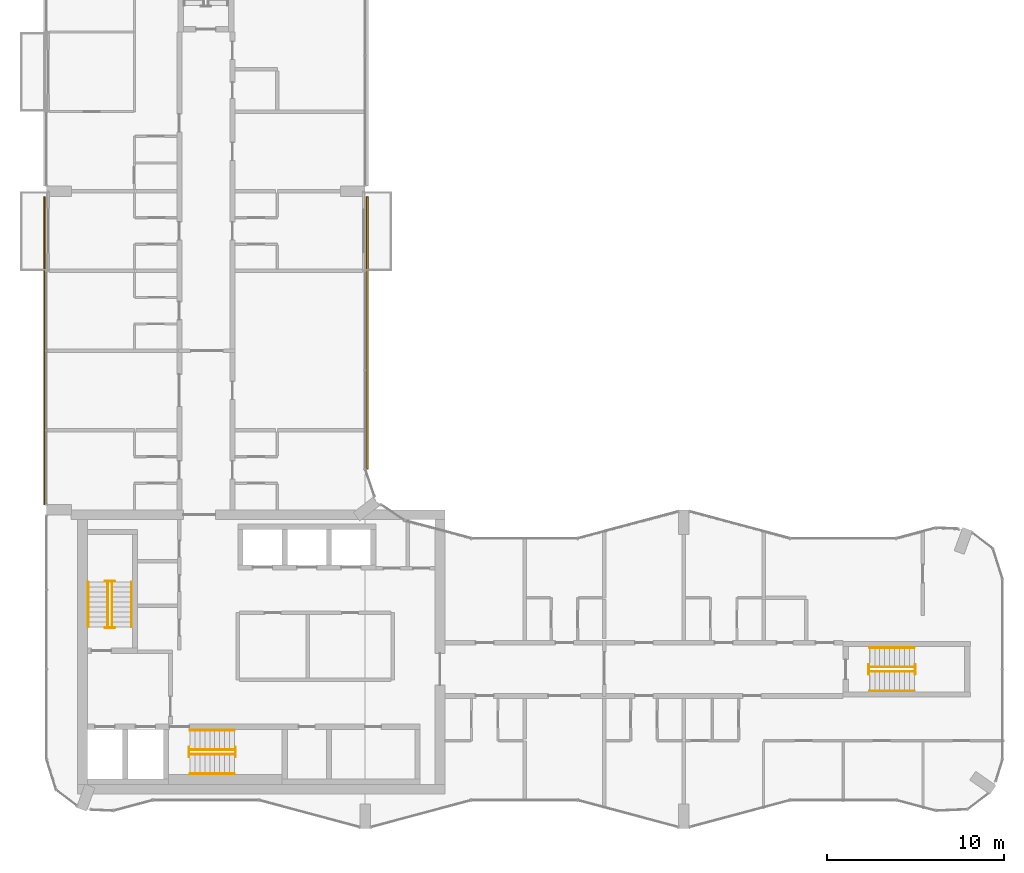
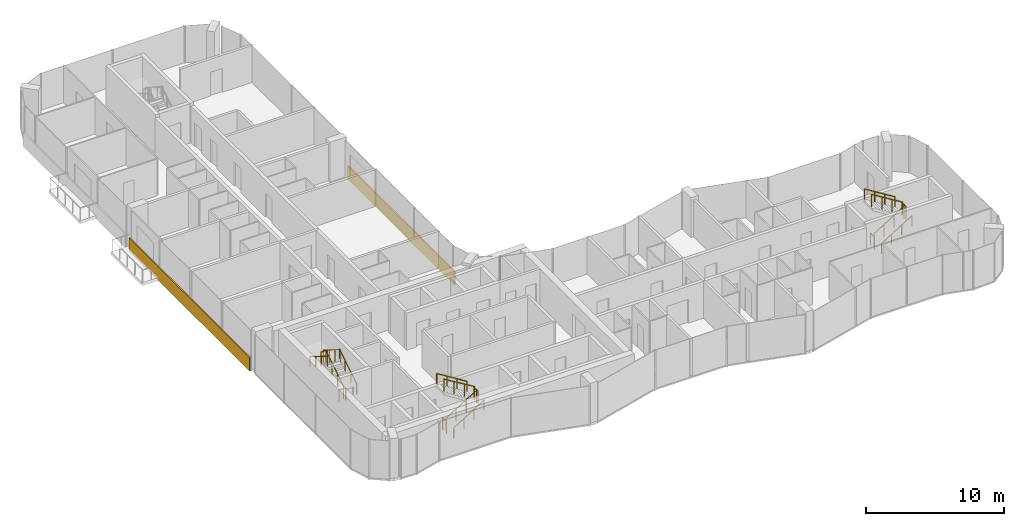
# One storey, part 14 of 15: 18 railings, 2 coverings.
"""IFC4 building model written with IfcOpenShell, lengths in metres."""

import ifcopenshell
import ifcopenshell.guid

model = None  # the IFC model being written
_history = None  # IfcOwnerHistory: only IFC2X3 demands one
_inside = {}  # id of a spatial element -> (the spatial element, [elements in it])
_under = {}  # id of a project, library or spatial element -> (it, [spatial elements below it])
_declared = {}  # id of a project -> (the project, [libraries it declares])
_typed = {}  # id of a type object -> (the type object, [elements of that type])
_made_of = {}  # id of a material, layer set ... -> (it, [elements and type objects made of it])


def new_model(schema):
    """Start an empty IFC model of exactly this schema.

    Asked for "IFC4X3", IfcOpenShell would pick the latest addendum, in which some entities
    have other attributes; the version numbers below select the first issue.
    IFC2X3 requires an IfcOwnerHistory on every rooted entity: one is made here for all.
    """
    global model, _history
    if schema == "IFC4X3":
        model = ifcopenshell.file(schema_version=(4, 3, 0, 0))
    else:
        model = ifcopenshell.file(schema=schema)
    _inside.clear()
    _under.clear()
    _declared.clear()
    _typed.clear()
    _made_of.clear()
    _history = None
    if model.schema == "IFC2X3":
        org = make("IfcOrganization", Name="unknown")
        user = make(
            "IfcPersonAndOrganization",
            ThePerson=make("IfcPerson", FamilyName="unknown"),
            TheOrganization=org,
        )
        app = make(
            "IfcApplication",
            ApplicationDeveloper=org,
            Version="unknown",
            ApplicationFullName="unknown",
            ApplicationIdentifier="unknown",
        )
        _history = make(
            "IfcOwnerHistory",
            OwningUser=user,
            OwningApplication=app,
            ChangeAction="ADDED",
            CreationDate=0,
        )
    return model


def make(cls, **values):
    """One entity of the class cls with the attributes given. An attribute that is None is left unset."""
    return model.create_entity(
        cls, **{name: value for name, value in values.items() if value is not None}
    )


def rooted(cls, **values):
    """An entity with a GlobalId (a new one), such as an element, a storey or a relation."""
    return make(cls, GlobalId=ifcopenshell.guid.new(), OwnerHistory=_history, **values)


def si_unit(unit_type, name, prefix=None):
    """IfcSIUnit, for example si_unit("LENGTHUNIT", "METRE", prefix="MILLI")."""
    return make("IfcSIUnit", UnitType=unit_type, Prefix=prefix, Name=name)


def assignment(units):
    """IfcUnitAssignment: the units of a project."""
    return None if units is None else make("IfcUnitAssignment", Units=units)


def point(xyz):
    """IfcCartesianPoint."""
    return None if xyz is None else make("IfcCartesianPoint", Coordinates=xyz)


def direction(xyz):
    """IfcDirection."""
    return None if xyz is None else make("IfcDirection", DirectionRatios=xyz)


def frame(location, z_axis=None, x_axis=None):
    """IfcAxis2Placement3D, a coordinate frame: its origin and axes. An axis left out is left unset."""
    return make(
        "IfcAxis2Placement3D",
        Location=point(location),
        Axis=direction(z_axis),
        RefDirection=direction(x_axis),
    )


def frame_2d(location, x_axis=None):
    """IfcAxis2Placement2D, a coordinate frame in the plane: its origin and x axis."""
    return make(
        "IfcAxis2Placement2D", Location=point(location), RefDirection=direction(x_axis)
    )


def origin():
    """The frame at (0, 0, 0) with its axes left unset."""
    return frame((0.0, 0.0, 0.0))


def origin_2d():
    """The frame at (0, 0) in the plane with its x axis left unset."""
    return frame_2d((0.0, 0.0))


def place(relative_to, where):
    """IfcLocalPlacement: puts the frame where relative to a parent placement (None: the world)."""
    return make(
        "IfcLocalPlacement", PlacementRelTo=relative_to, RelativePlacement=where
    )


def context(
    kind, dimensions, precision=None, world=None, true_north=None, identifier=None
):
    """IfcGeometricRepresentationContext, for example the 3D "Model" context."""
    return make(
        "IfcGeometricRepresentationContext",
        ContextIdentifier=identifier,
        ContextType=kind,
        CoordinateSpaceDimension=dimensions,
        Precision=precision,
        WorldCoordinateSystem=world,
        TrueNorth=true_north,
    )


def subcontext(parent, identifier, kind, view, scale=None):
    """IfcGeometricRepresentationSubContext, for example "Body" below "Model"."""
    return make(
        "IfcGeometricRepresentationSubContext",
        ContextIdentifier=identifier,
        ContextType=kind,
        ParentContext=parent,
        TargetScale=scale,
        TargetView=view,
    )


def project(units=None, contexts=None):
    """IfcProject with its units and contexts."""
    return rooted(
        "IfcProject",
        Name="project",
        RepresentationContexts=contexts,
        UnitsInContext=assignment(units),
    )


def spatial(cls, under=None, at=None, **own):
    """A site, building, storey or space (cls), placed at a placement, below another one or the project."""
    s = rooted(cls, ObjectPlacement=at, **own)
    if under is not None:
        _under.setdefault(under.id(), (under, []))[1].append(s)
    return s


def profile(cls, at=None, kind="AREA", **sizes):
    """A parametric profile (cls). Its sizes go by their IFC names, for example OverallWidth=200.0."""
    return make(cls, ProfileType=kind, Position=at, **sizes)


def rectangle(**sizes):
    """IfcRectangleProfileDef."""
    return profile("IfcRectangleProfileDef", **sizes)


def circle(**sizes):
    """IfcCircleProfileDef."""
    return profile("IfcCircleProfileDef", **sizes)


def extrude(swept, where, along, depth):
    """IfcExtrudedAreaSolid: the profile swept, set in the frame where, extruded along a direction by depth."""
    return make(
        "IfcExtrudedAreaSolid",
        SweptArea=swept,
        Position=where,
        ExtrudedDirection=direction(along),
        Depth=depth,
    )


def shape(context_of_items, identifier, shape_type, items):
    """IfcShapeRepresentation: the items that make up one representation, for example the "Body"."""
    return make(
        "IfcShapeRepresentation",
        ContextOfItems=context_of_items,
        RepresentationIdentifier=identifier,
        RepresentationType=shape_type,
        Items=items,
    )


def material(Name=None, Category=None):
    """IfcMaterial."""
    return make("IfcMaterial", Name=Name, Category=Category)


def layer(
    of_material, thickness, ventilated=None, Name=None, Category=None, Priority=None
):
    """IfcMaterialLayer: one layer of a wall or slab, of a material (None: an air gap)."""
    return make(
        "IfcMaterialLayer",
        Material=of_material,
        LayerThickness=thickness,
        IsVentilated=ventilated,
        Name=Name,
        Category=Category,
        Priority=Priority,
    )


def layer_set(layers, Name=None):
    """IfcMaterialLayerSet."""
    return make("IfcMaterialLayerSet", MaterialLayers=layers, LayerSetName=Name)


def made_of(thing, what):
    """Note that an element or type object is made of a material, layer set ...; save() writes the relation."""
    if what is not None:
        _made_of.setdefault(what.id(), (what, []))[1].append(thing)
    return thing


def type_object(cls, material=None, **own):
    """A type object (cls), such as IfcWallType, which elements share."""
    return made_of(rooted(cls, **own), material)


def element(
    cls,
    number,
    at=None,
    inside=None,
    cuts=None,
    type_object=None,
    material=None,
    context=None,
    identifier="Body",
    shape_type=None,
    held_by="IfcProductDefinitionShape",
    body=None,
    shapes=None,
    **own,
):
    """One element of the class cls, such as IfcWall. Its Tag is "e" and its number.

    at: its placement. inside: the storey or other place that contains it. cuts: it is an
    opening in that element (IfcRelVoidsElement). A single representation is given by context,
    identifier, shape_type and body (its items); several are given by shapes. held_by: the class
    of the entity that holds the representations. save() writes the other relations.
    """
    e = rooted(cls, Tag="e%d" % number, ObjectPlacement=at, **own)
    if body is not None:
        shapes = [shape(context, identifier, shape_type, body)]
    if shapes is not None:
        e.Representation = make(held_by, Representations=shapes)
    if inside is not None:
        _inside.setdefault(inside.id(), (inside, []))[1].append(e)
    if cuts is not None:
        rooted(
            "IfcRelVoidsElement", RelatingBuildingElement=cuts, RelatedOpeningElement=e
        )
    if type_object is not None:
        _typed.setdefault(type_object.id(), (type_object, []))[1].append(e)
    return made_of(e, material)


def aggregate(whole, parts):
    """IfcRelAggregates: a whole, such as a stair, and the parts it consists of."""
    return rooted("IfcRelAggregates", RelatingObject=whole, RelatedObjects=parts)


def save(model, path):
    """Write the relations noted so far, then the file.

    IfcRelAggregates (storeys below a building ...), IfcRelContainedInSpatialStructure (elements
    in a storey), IfcRelDefinesByType, IfcRelAssociatesMaterial and IfcRelDeclares: one each for
    every whole, place, type object, material and project.
    """
    for whole, parts in _under.values():
        aggregate(whole, parts)
    for where, things in _inside.values():
        rooted(
            "IfcRelContainedInSpatialStructure",
            RelatedElements=things,
            RelatingStructure=where,
        )
    for kind, things in _typed.values():
        rooted("IfcRelDefinesByType", RelatedObjects=things, RelatingType=kind)
    for what, things in _made_of.values():
        rooted("IfcRelAssociatesMaterial", RelatedObjects=things, RelatingMaterial=what)
    for by, libraries in _declared.values():
        rooted("IfcRelDeclares", RelatingContext=by, RelatedDefinitions=libraries)
    model.write(path)


model = new_model("IFC4")

# Units and contexts
model_context = context("Model", 3, precision=1e-05, world=origin(), true_north=direction((0.0, 1.0)))
body_context = subcontext(model_context, "Body", "Model", "MODEL_VIEW")
ifc_project = project(units=[si_unit("LENGTHUNIT", "METRE"), si_unit("AREAUNIT", "SQUARE_METRE"), si_unit("VOLUMEUNIT", "CUBIC_METRE"), si_unit("PLANEANGLEUNIT", "RADIAN"), si_unit("MASSUNIT", "GRAM", prefix="KILO")], contexts=[model_context])

# Site, building, storey
site_placement = place(None, origin())
site = spatial("IfcSite", under=ifc_project, at=site_placement, CompositionType="ELEMENT")
building_placement = place(site_placement, origin())
building = spatial("IfcBuilding", under=site, at=building_placement, Name="Plateau Cross Towers", CompositionType="ELEMENT")
storey_placement = place(building_placement, frame((0.0, 0.0, 194.39990234375)))
storey = spatial("IfcBuildingStorey", under=building, at=storey_placement, Name="L50", CompositionType="ELEMENT", Elevation=194.39990234375)

# Railings
ifc_material_1 = material(Name="Stainless steel and toughened glass", Category="steel")
railing_type_1 = type_object("IfcRailingType", Name="RL-GUARD-1100", PredefinedType="GUARDRAIL", material=ifc_material_1)
railing_1_placement = place(storey_placement, frame((3.699951171875, 11.39990234375, 0.175048828125)))
element("IfcRailing", 1, at=railing_1_placement, inside=storey, type_object=railing_type_1, Name="L50 ST-1 stair guard 1", PredefinedType="GUARDRAIL", context=body_context, shape_type="SweptSolid", body=[
    extrude(circle(Radius=0.02392578125, at=origin_2d()), frame((0.0, 0.0, 1.076171875), z_axis=(0.0, 0.848007534815, 0.529984170421), x_axis=(-1.0, 0.0, 0.0)), (0.0, 0.0, 1.0), 2.9716796875),
    extrude(circle(Radius=0.02099609375, at=origin_2d()), origin(), (0.0, 0.0, 1.0), 1.052001953125),
    extrude(circle(Radius=0.02099609375, at=origin_2d()), frame((0.0, 0.840087890625, 0.52490234375)), (0.0, 0.0, 1.0), 1.052001953125),
    extrude(circle(Radius=0.02099609375, at=origin_2d()), frame((0.0, 1.679931640625, 1.050048828125)), (0.0, 0.0, 1.0), 1.052001953125),
    extrude(circle(Radius=0.02099609375, at=origin_2d()), frame((0.0, 2.52001953125, 1.574951171875)), (0.0, 0.0, 1.0), 1.052001953125),
])
railing_2_placement = place(storey_placement, frame((3.85009765625, 13.969970703125, 1.75)))
element("IfcRailing", 2, at=railing_2_placement, inside=storey, type_object=railing_type_1, Name="L50 ST-1 stair guard 2", PredefinedType="GUARDRAIL", context=body_context, shape_type="SweptSolid", body=[
    extrude(circle(Radius=0.02392578125, at=origin_2d()), frame((0.0, 0.0, 1.076171875), z_axis=(-1.0, 0.0, 0.0), x_axis=(0.0, -1.0, 0.0)), (0.0, 0.0, 1.0), 0.550048828125),
    extrude(circle(Radius=0.02099609375, at=origin_2d()), origin(), (0.0, 0.0, 1.0), 1.052001953125),
    extrude(circle(Radius=0.02099609375, at=origin_2d()), frame((-0.550048828125, 0.0, 0.0)), (0.0, 0.0, 1.0), 1.052001953125),
])
railing_3_placement = place(storey_placement, frame((3.449951171875, 13.919921875, 1.925048828125)))
element("IfcRailing", 3, at=railing_3_placement, inside=storey, type_object=railing_type_1, Name="L50 ST-1 stair guard 3", PredefinedType="GUARDRAIL", context=body_context, shape_type="SweptSolid", body=[
    extrude(circle(Radius=0.02392578125, at=origin_2d()), frame((0.0, 0.0, 1.076171875), z_axis=(0.0, -0.852616386126, 0.522537365276), x_axis=(1.0, 0.0, 0.0)), (0.0, 0.0, 1.0), 3.01416015625),
    extrude(circle(Radius=0.02099609375, at=origin_2d()), origin(), (0.0, 0.0, 1.0), 1.052001953125),
    extrude(circle(Radius=0.02099609375, at=origin_2d()), frame((0.0, -0.856689453125, 0.52490234375)), (0.0, 0.0, 1.0), 1.052001953125),
    extrude(circle(Radius=0.02099609375, at=origin_2d()), frame((0.0, -1.713134765625, 1.050048828125)), (0.0, 0.0, 1.0), 1.052001953125),
    extrude(circle(Radius=0.02099609375, at=origin_2d()), frame((0.0, -2.56982421875, 1.574951171875)), (0.0, 0.0, 1.0), 1.052001953125),
])
railing_4_placement = place(storey_placement, frame((3.85009765625, 11.35009765625, 0.0)))
element("IfcRailing", 4, at=railing_4_placement, inside=storey, type_object=railing_type_1, Name="L50 ST-1 stair guard 4", PredefinedType="GUARDRAIL", context=body_context, shape_type="SweptSolid", body=[
    extrude(circle(Radius=0.02392578125, at=origin_2d()), frame((0.0, 0.0, 1.076171875), z_axis=(-1.0, 0.0, 0.0), x_axis=(0.0, -1.0, 0.0)), (0.0, 0.0, 1.0), 0.550048828125),
    extrude(circle(Radius=0.02099609375, at=origin_2d()), origin(), (0.0, 0.0, 1.0), 1.052001953125),
    extrude(circle(Radius=0.02099609375, at=origin_2d()), frame((-0.550048828125, 0.0, 0.0)), (0.0, 0.0, 1.0), 1.052001953125),
])
railing_5_placement = place(storey_placement, frame((8.10009765625, 4.199951171875, 0.175048828125)))
element("IfcRailing", 5, at=railing_5_placement, inside=storey, type_object=railing_type_1, Name="L50 ST-2 stair guard 1", PredefinedType="GUARDRAIL", context=body_context, shape_type="SweptSolid", body=[
    extrude(circle(Radius=0.02392578125, at=origin_2d()), frame((0.0, 0.0, 1.076171875), z_axis=(0.848007534815, 0.0, 0.529984170421), x_axis=(0.0, 1.0, 0.0)), (0.0, 0.0, 1.0), 2.9716796875),
    extrude(circle(Radius=0.02099609375, at=origin_2d()), origin(), (0.0, 0.0, 1.0), 1.052001953125),
    extrude(circle(Radius=0.02099609375, at=origin_2d()), frame((0.840087890625, 0.0, 0.52490234375)), (0.0, 0.0, 1.0), 1.052001953125),
    extrude(circle(Radius=0.02099609375, at=origin_2d()), frame((1.679931640625, 0.0, 1.050048828125)), (0.0, 0.0, 1.0), 1.052001953125),
    extrude(circle(Radius=0.02099609375, at=origin_2d()), frame((2.52001953125, 0.0, 1.574951171875)), (0.0, 0.0, 1.0), 1.052001953125),
])
railing_6_placement = place(storey_placement, frame((10.669921875, 4.050048828125, 1.75)))
element("IfcRailing", 6, at=railing_6_placement, inside=storey, type_object=railing_type_1, Name="L50 ST-2 stair guard 2", PredefinedType="GUARDRAIL", context=body_context, shape_type="SweptSolid", body=[
    extrude(circle(Radius=0.02392578125, at=origin_2d()), frame((0.0, 0.0, 1.076171875), z_axis=(0.0, 1.0, 0.0), x_axis=(-1.0, 0.0, 0.0)), (0.0, 0.0, 1.0), 0.550048828125),
    extrude(circle(Radius=0.02099609375, at=origin_2d()), origin(), (0.0, 0.0, 1.0), 1.052001953125),
    extrude(circle(Radius=0.02099609375, at=origin_2d()), frame((0.0, 0.550048828125, 0.0)), (0.0, 0.0, 1.0), 1.052001953125),
])
railing_7_placement = place(storey_placement, frame((10.6201171875, 4.449951171875, 1.925048828125)))
element("IfcRailing", 7, at=railing_7_placement, inside=storey, type_object=railing_type_1, Name="L50 ST-2 stair guard 3", PredefinedType="GUARDRAIL", context=body_context, shape_type="SweptSolid", body=[
    extrude(circle(Radius=0.02392578125, at=origin_2d()), frame((0.0, 0.0, 1.076171875), z_axis=(-0.852638500773, 0.0, 0.522501279423), x_axis=(0.0, -1.0, 0.0)), (0.0, 0.0, 1.0), 3.01416015625),
    extrude(circle(Radius=0.02099609375, at=origin_2d()), origin(), (0.0, 0.0, 1.0), 1.052001953125),
    extrude(circle(Radius=0.02099609375, at=origin_2d()), frame((-0.856689453125, 0.0, 0.52490234375)), (0.0, 0.0, 1.0), 1.052001953125),
    extrude(circle(Radius=0.02099609375, at=origin_2d()), frame((-1.71337890625, 0.0, 1.050048828125)), (0.0, 0.0, 1.0), 1.052001953125),
    extrude(circle(Radius=0.02099609375, at=origin_2d()), frame((-2.570068359375, 0.0, 1.574951171875)), (0.0, 0.0, 1.0), 1.052001953125),
])
railing_8_placement = place(storey_placement, frame((8.050048828125, 4.050048828125, 0.0)))
element("IfcRailing", 8, at=railing_8_placement, inside=storey, type_object=railing_type_1, Name="L50 ST-2 stair guard 4", PredefinedType="GUARDRAIL", context=body_context, shape_type="SweptSolid", body=[
    extrude(circle(Radius=0.02392578125, at=origin_2d()), frame((0.0, 0.0, 1.076171875), z_axis=(0.0, 1.0, 0.0), x_axis=(-1.0, 0.0, 0.0)), (0.0, 0.0, 1.0), 0.550048828125),
    extrude(circle(Radius=0.02099609375, at=origin_2d()), origin(), (0.0, 0.0, 1.0), 1.052001953125),
    extrude(circle(Radius=0.02099609375, at=origin_2d()), frame((0.0, 0.550048828125, 0.0)), (0.0, 0.0, 1.0), 1.052001953125),
])
railing_9_placement = place(storey_placement, frame((46.5, 8.875, 0.175048828125)))
element("IfcRailing", 9, at=railing_9_placement, inside=storey, type_object=railing_type_1, Name="L50 ES-E stair guard 1", PredefinedType="GUARDRAIL", context=body_context, shape_type="SweptSolid", body=[
    extrude(circle(Radius=0.02392578125, at=origin_2d()), frame((0.0, 0.0, 1.076171875), z_axis=(0.848007534815, 0.0, 0.529984170421), x_axis=(0.0, 1.0, 0.0)), (0.0, 0.0, 1.0), 2.9716796875),
    extrude(circle(Radius=0.02099609375, at=origin_2d()), origin(), (0.0, 0.0, 1.0), 1.052001953125),
    extrude(circle(Radius=0.02099609375, at=origin_2d()), frame((0.840087890625, 0.0, 0.52490234375)), (0.0, 0.0, 1.0), 1.052001953125),
    extrude(circle(Radius=0.02099609375, at=origin_2d()), frame((1.679931640625, 0.0, 1.050048828125)), (0.0, 0.0, 1.0), 1.052001953125),
    extrude(circle(Radius=0.02099609375, at=origin_2d()), frame((2.52001953125, 0.0, 1.574951171875)), (0.0, 0.0, 1.0), 1.052001953125),
])
railing_10_placement = place(storey_placement, frame((49.070068359375, 8.72509765625, 1.75)))
element("IfcRailing", 10, at=railing_10_placement, inside=storey, type_object=railing_type_1, Name="L50 ES-E stair guard 2", PredefinedType="GUARDRAIL", context=body_context, shape_type="SweptSolid", body=[
    extrude(circle(Radius=0.02392578125, at=origin_2d()), frame((0.0, 0.0, 1.076171875), z_axis=(0.0, 1.0, 0.0), x_axis=(-1.0, 0.0, 0.0)), (0.0, 0.0, 1.0), 0.5498046875),
    extrude(circle(Radius=0.02099609375, at=origin_2d()), origin(), (0.0, 0.0, 1.0), 1.052001953125),
    extrude(circle(Radius=0.02099609375, at=origin_2d()), frame((0.0, 0.5498046875, 0.0)), (0.0, 0.0, 1.0), 1.052001953125),
])
railing_11_placement = place(storey_placement, frame((49.02001953125, 9.125, 1.925048828125)))
element("IfcRailing", 11, at=railing_11_placement, inside=storey, type_object=railing_type_1, Name="L50 ES-E stair guard 3", PredefinedType="GUARDRAIL", context=body_context, shape_type="SweptSolid", body=[
    extrude(circle(Radius=0.02392578125, at=origin_2d()), frame((0.0, 0.0, 1.076171875), z_axis=(-0.852638500773, 0.0, 0.522501279423), x_axis=(0.0, -1.0, 0.0)), (0.0, 0.0, 1.0), 3.01416015625),
    extrude(circle(Radius=0.02099609375, at=origin_2d()), origin(), (0.0, 0.0, 1.0), 1.052001953125),
    extrude(circle(Radius=0.02099609375, at=origin_2d()), frame((-0.856689453125, 0.0, 0.52490234375)), (0.0, 0.0, 1.0), 1.052001953125),
    extrude(circle(Radius=0.02099609375, at=origin_2d()), frame((-1.71337890625, 0.0, 1.050048828125)), (0.0, 0.0, 1.0), 1.052001953125),
    extrude(circle(Radius=0.02099609375, at=origin_2d()), frame((-2.570068359375, 0.0, 1.574951171875)), (0.0, 0.0, 1.0), 1.052001953125),
])
railing_12_placement = place(storey_placement, frame((46.449951171875, 8.72509765625, 0.0)))
element("IfcRailing", 12, at=railing_12_placement, inside=storey, type_object=railing_type_1, Name="L50 ES-E stair guard 4", PredefinedType="GUARDRAIL", context=body_context, shape_type="SweptSolid", body=[
    extrude(circle(Radius=0.02392578125, at=origin_2d()), frame((0.0, 0.0, 1.076171875), z_axis=(0.0, 1.0, 0.0), x_axis=(-1.0, 0.0, 0.0)), (0.0, 0.0, 1.0), 0.5498046875),
    extrude(circle(Radius=0.02099609375, at=origin_2d()), origin(), (0.0, 0.0, 1.0), 1.052001953125),
    extrude(circle(Radius=0.02099609375, at=origin_2d()), frame((0.0, 0.5498046875, 0.0)), (0.0, 0.0, 1.0), 1.052001953125),
])
ifc_material_2 = material(Name="Black anodised aluminium", Category="aluminium")
railing_type_2 = type_object("IfcRailingType", Name="RL-HANDRAIL-900", PredefinedType="HANDRAIL", material=ifc_material_2)
railing_13_placement = place(storey_placement, frame((4.800048828125, 11.39990234375, 0.175048828125)))
element("IfcRailing", 13, at=railing_13_placement, inside=storey, type_object=railing_type_2, Name="L50 ST-1 stair handrail 1", PredefinedType="HANDRAIL", context=body_context, shape_type="SweptSolid", body=[
    extrude(circle(Radius=0.02392578125, at=origin_2d()), frame((0.0, 0.0, 0.8759765625), z_axis=(0.0, 0.848007534815, 0.529984170421), x_axis=(-1.0, 0.0, 0.0)), (0.0, 0.0, 1.0), 2.9716796875),
    extrude(circle(Radius=0.02099609375, at=origin_2d()), origin(), (0.0, 0.0, 1.0), 0.851806640625),
    extrude(circle(Radius=0.02099609375, at=origin_2d()), frame((0.0, 0.840087890625, 0.52490234375)), (0.0, 0.0, 1.0), 0.851806640625),
    extrude(circle(Radius=0.02099609375, at=origin_2d()), frame((0.0, 1.679931640625, 1.050048828125)), (0.0, 0.0, 1.0), 0.851806640625),
    extrude(circle(Radius=0.02099609375, at=origin_2d()), frame((0.0, 2.52001953125, 1.574951171875)), (0.0, 0.0, 1.0), 0.851806640625),
])
railing_14_placement = place(storey_placement, frame((2.35009765625, 13.919921875, 1.925048828125)))
element("IfcRailing", 14, at=railing_14_placement, inside=storey, type_object=railing_type_2, Name="L50 ST-1 stair handrail 2", PredefinedType="HANDRAIL", context=body_context, shape_type="SweptSolid", body=[
    extrude(circle(Radius=0.02392578125, at=origin_2d()), frame((0.0, 0.0, 0.8759765625), z_axis=(0.0, -0.848007534815, 0.529984170421), x_axis=(1.0, 0.0, 0.0)), (0.0, 0.0, 1.0), 2.9716796875),
    extrude(circle(Radius=0.02099609375, at=origin_2d()), origin(), (0.0, 0.0, 1.0), 0.851806640625),
    extrude(circle(Radius=0.02099609375, at=origin_2d()), frame((0.0, -0.840087890625, 0.52490234375)), (0.0, 0.0, 1.0), 0.851806640625),
    extrude(circle(Radius=0.02099609375, at=origin_2d()), frame((0.0, -1.679931640625, 1.050048828125)), (0.0, 0.0, 1.0), 0.851806640625),
    extrude(circle(Radius=0.02099609375, at=origin_2d()), frame((0.0, -2.52001953125, 1.574951171875)), (0.0, 0.0, 1.0), 0.851806640625),
])
railing_15_placement = place(storey_placement, frame((8.10009765625, 3.10009765625, 0.175048828125)))
element("IfcRailing", 15, at=railing_15_placement, inside=storey, type_object=railing_type_2, Name="L50 ST-2 stair handrail 1", PredefinedType="HANDRAIL", context=body_context, shape_type="SweptSolid", body=[
    extrude(circle(Radius=0.02392578125, at=origin_2d()), frame((0.0, 0.0, 0.8759765625), z_axis=(0.848007534815, 0.0, 0.529984170421), x_axis=(0.0, 1.0, 0.0)), (0.0, 0.0, 1.0), 2.9716796875),
    extrude(circle(Radius=0.02099609375, at=origin_2d()), origin(), (0.0, 0.0, 1.0), 0.851806640625),
    extrude(circle(Radius=0.02099609375, at=origin_2d()), frame((0.840087890625, 0.0, 0.52490234375)), (0.0, 0.0, 1.0), 0.851806640625),
    extrude(circle(Radius=0.02099609375, at=origin_2d()), frame((1.679931640625, 0.0, 1.050048828125)), (0.0, 0.0, 1.0), 0.851806640625),
    extrude(circle(Radius=0.02099609375, at=origin_2d()), frame((2.52001953125, 0.0, 1.574951171875)), (0.0, 0.0, 1.0), 0.851806640625),
])
railing_16_placement = place(storey_placement, frame((10.6201171875, 5.550048828125, 1.925048828125)))
element("IfcRailing", 16, at=railing_16_placement, inside=storey, type_object=railing_type_2, Name="L50 ST-2 stair handrail 2", PredefinedType="HANDRAIL", context=body_context, shape_type="SweptSolid", body=[
    extrude(circle(Radius=0.02392578125, at=origin_2d()), frame((0.0, 0.0, 0.8759765625), z_axis=(-0.848007534815, 0.0, 0.529984170421), x_axis=(0.0, -1.0, 0.0)), (0.0, 0.0, 1.0), 2.9716796875),
    extrude(circle(Radius=0.02099609375, at=origin_2d()), origin(), (0.0, 0.0, 1.0), 0.851806640625),
    extrude(circle(Radius=0.02099609375, at=origin_2d()), frame((-0.840087890625, 0.0, 0.52490234375)), (0.0, 0.0, 1.0), 0.851806640625),
    extrude(circle(Radius=0.02099609375, at=origin_2d()), frame((-1.679931640625, 0.0, 1.050048828125)), (0.0, 0.0, 1.0), 0.851806640625),
    extrude(circle(Radius=0.02099609375, at=origin_2d()), frame((-2.52001953125, 0.0, 1.574951171875)), (0.0, 0.0, 1.0), 0.851806640625),
])
railing_17_placement = place(storey_placement, frame((46.5, 7.77490234375, 0.175048828125)))
element("IfcRailing", 17, at=railing_17_placement, inside=storey, type_object=railing_type_2, Name="L50 ES-E stair handrail 1", PredefinedType="HANDRAIL", context=body_context, shape_type="SweptSolid", body=[
    extrude(circle(Radius=0.02392578125, at=origin_2d()), frame((0.0, 0.0, 0.8759765625), z_axis=(0.848007534815, 0.0, 0.529984170421), x_axis=(0.0, 1.0, 0.0)), (0.0, 0.0, 1.0), 2.9716796875),
    extrude(circle(Radius=0.02099609375, at=origin_2d()), origin(), (0.0, 0.0, 1.0), 0.851806640625),
    extrude(circle(Radius=0.02099609375, at=origin_2d()), frame((0.840087890625, 0.0, 0.52490234375)), (0.0, 0.0, 1.0), 0.851806640625),
    extrude(circle(Radius=0.02099609375, at=origin_2d()), frame((1.679931640625, 0.0, 1.050048828125)), (0.0, 0.0, 1.0), 0.851806640625),
    extrude(circle(Radius=0.02099609375, at=origin_2d()), frame((2.52001953125, 0.0, 1.574951171875)), (0.0, 0.0, 1.0), 0.851806640625),
])
railing_18_placement = place(storey_placement, frame((49.02001953125, 10.22509765625, 1.925048828125)))
element("IfcRailing", 18, at=railing_18_placement, inside=storey, type_object=railing_type_2, Name="L50 ES-E stair handrail 2", PredefinedType="HANDRAIL", context=body_context, shape_type="SweptSolid", body=[
    extrude(circle(Radius=0.02392578125, at=origin_2d()), frame((0.0, 0.0, 0.8759765625), z_axis=(-0.848007534815, 0.0, 0.529984170421), x_axis=(0.0, -1.0, 0.0)), (0.0, 0.0, 1.0), 2.9716796875),
    extrude(circle(Radius=0.02099609375, at=origin_2d()), origin(), (0.0, 0.0, 1.0), 0.851806640625),
    extrude(circle(Radius=0.02099609375, at=origin_2d()), frame((-0.840087890625, 0.0, 0.52490234375)), (0.0, 0.0, 1.0), 0.851806640625),
    extrude(circle(Radius=0.02099609375, at=origin_2d()), frame((-1.679931640625, 0.0, 1.050048828125)), (0.0, 0.0, 1.0), 0.851806640625),
    extrude(circle(Radius=0.02099609375, at=origin_2d()), frame((-2.52001953125, 0.0, 1.574951171875)), (0.0, 0.0, 1.0), 0.851806640625),
])

# Coverings
ifc_material_3 = material(Name="Precast concrete cladding C40/50", Category="concrete")
ifc_layer = layer(ifc_material_3, 0.10009765625)
ifc_layer_set = layer_set([ifc_layer], Name="Precast concrete cladding C40/50")
covering_type = type_object("IfcCoveringType", Name="Spandrel band cladding 100x1200", PredefinedType="CLADDING", material=ifc_layer_set)
covering_1_placement = place(storey_placement, frame((18.1201171875, 28.001220703125, -0.25), z_axis=(0.0, 0.0, 1.0), x_axis=(0.0, 1.0, 0.0)))
element("IfcCovering", 19, at=covering_1_placement, inside=storey, type_object=covering_type, Name="Spandrel band", PredefinedType="CLADDING", context=body_context, shape_type="SweptSolid", body=[
    extrude(rectangle(XDim=15.397705078125, YDim=0.10009765625, at=origin_2d()), origin(), (0.0, 0.0, 1.0), 1.199951171875),
])
covering_2_placement = place(storey_placement, frame((-0.1201171875, 27.0, -0.25), z_axis=(0.0, 0.0, 1.0), x_axis=(0.0, -1.0, 0.0)))
element("IfcCovering", 20, at=covering_2_placement, inside=storey, type_object=covering_type, Name="Spandrel band", PredefinedType="CLADDING", context=body_context, shape_type="SweptSolid", body=[
    extrude(rectangle(XDim=17.39990234375, YDim=0.10009765625, at=origin_2d()), origin(), (0.0, 0.0, 1.0), 1.199951171875),
])

save(model, "model.ifc")
